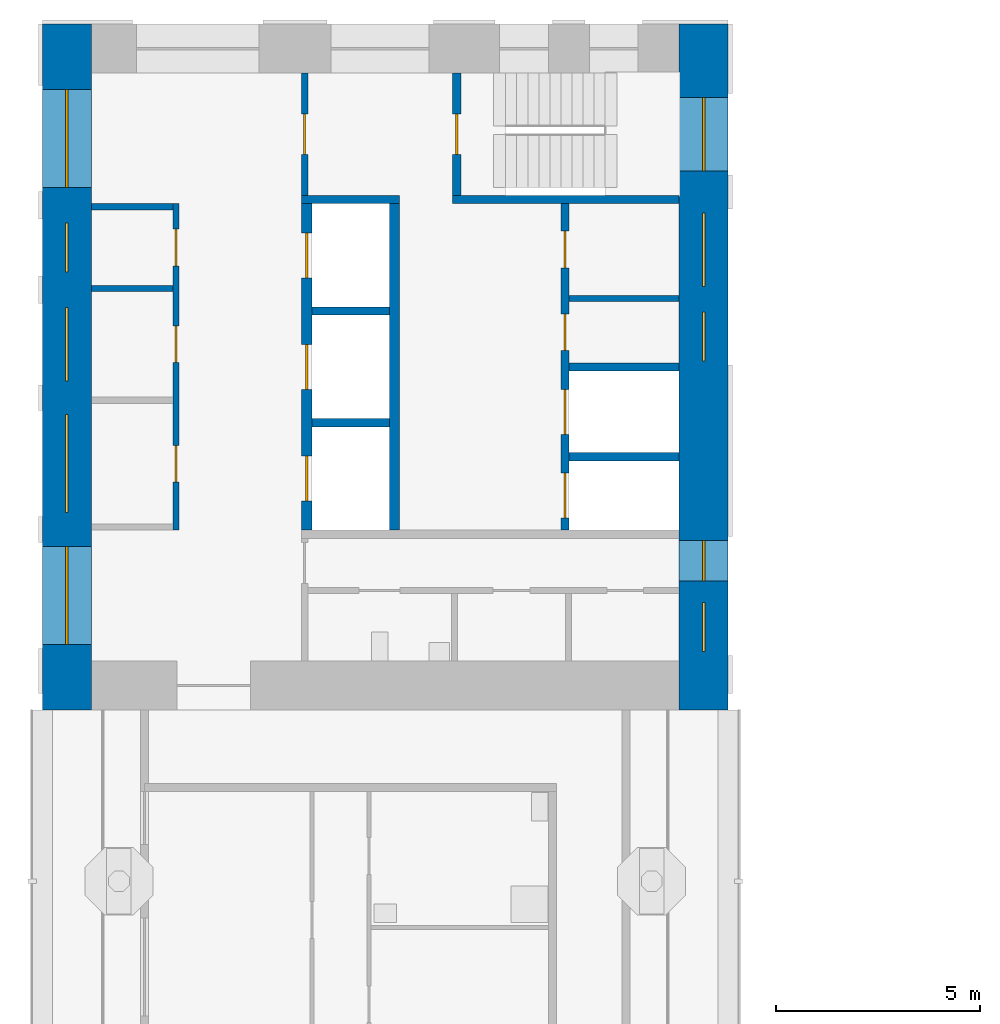
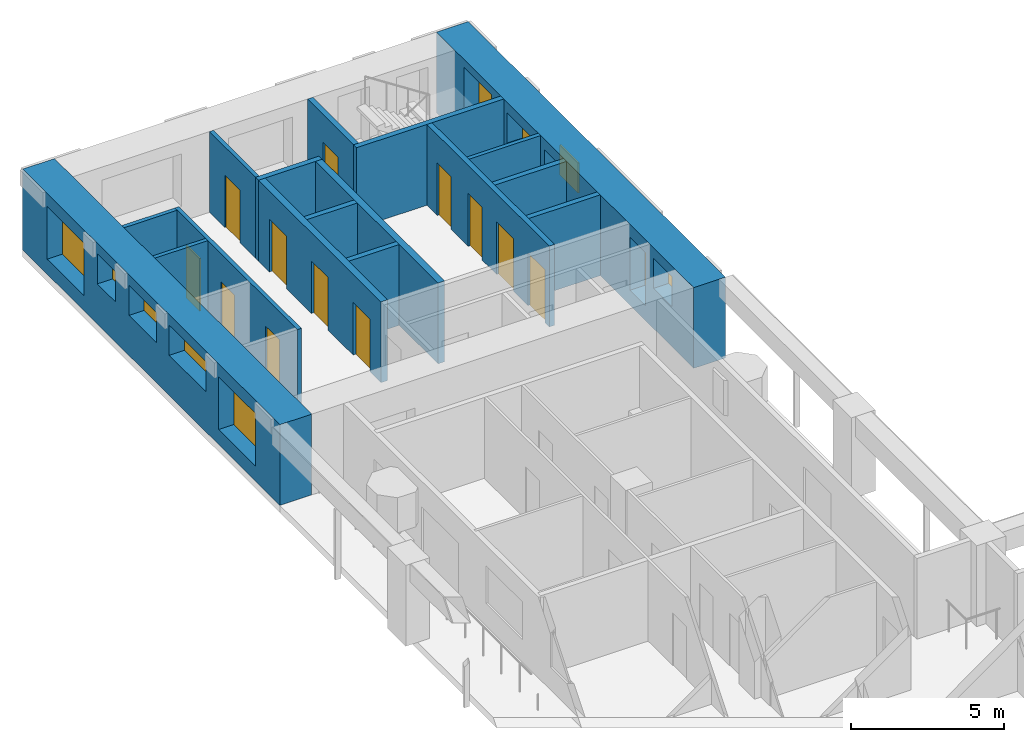
# One storey, part 6 of 13: 17 walls, 12 doors, 10 windows, 22 openings.
"""IFC4 building model written with IfcOpenShell, lengths in metres."""

from ifc_helpers import new_model, si_unit, direction, frame, frame_2d, origin, place, context, subcontext, project, spatial, rectangle, extrude, material, layer, layer_set, type_object, element, fill, save


model = new_model("IFC4")

# Units and contexts
model_context = context("Model", 3, precision=1e-05, world=origin(), true_north=direction((0.0, 1.0)))
body_context = subcontext(model_context, "Body", "Model", "MODEL_VIEW")
ifc_project = project(units=[si_unit("LENGTHUNIT", "METRE"), si_unit("AREAUNIT", "SQUARE_METRE"), si_unit("VOLUMEUNIT", "CUBIC_METRE"), si_unit("PLANEANGLEUNIT", "RADIAN"), si_unit("MASSUNIT", "GRAM", prefix="KILO")], contexts=[model_context])

# Site, building, storey
site_placement = place(None, origin())
site = spatial("IfcSite", under=ifc_project, at=site_placement, CompositionType="ELEMENT")
building_placement = place(site_placement, origin())
building = spatial("IfcBuilding", under=site, at=building_placement, Name="Vermilion Gate Residences", CompositionType="ELEMENT")
storey_placement = place(building_placement, frame((0.0, 0.0, 147.699951171875)))
storey = spatial("IfcBuildingStorey", under=building, at=storey_placement, Name="L37", CompositionType="ELEMENT", Elevation=147.699951171875)

# Walls
ifc_material_1 = material(Name="Masonry blockwork", Category="masonry")
ifc_layer_1 = layer(ifc_material_1, 0.14990234375)
ifc_layer_set_1 = layer_set([ifc_layer_1], Name="BLOCKWORK PARTITION 150 EI 120")
wall_type_1 = type_object("IfcWallType", Name="BLOCKWORK PARTITION 150 EI 120", PredefinedType="PARTITIONING", material=ifc_layer_set_1)
for number, where, z_axis, x_axis, name in (
    (1, (9.60009765625, 54.324951171875, 0.0), (0.0, 0.0, 1.0), (1.0, 0.0, 0.0), "Core room partition B37-RW-W"),
    (2, (9.60009765625, 52.324951171875, 0.0), (0.0, 0.0, 1.0), (1.0, 0.0, 0.0), "Core room partition B37-SR-P0"),
):
    element("IfcWall", number, at=place(storey_placement, frame(where, z_axis=z_axis, x_axis=x_axis)), inside=storey, type_object=wall_type_1, Name=name, PredefinedType="PARTITIONING", context=body_context, shape_type="SweptSolid", body=[
        extrude(rectangle(XDim=2.0, YDim=0.14990234375, at=frame_2d((1.0, 0.0))), origin(), (0.0, 0.0, 1.0), 3.219970703125),
    ])

# Wall, openings, doors
wall_1_placement = place(storey_placement, frame((11.675048828125, 54.39990234375, 0.0), z_axis=(0.0, 0.0, 1.0), x_axis=(0.0, -1.0, 0.0)))
wall_1 = element("IfcWall", 3, at=wall_1_placement, inside=storey, type_object=wall_type_1, Name="Core room partition B37-LR-F", PredefinedType="PARTITIONING", context=body_context, shape_type="SweptSolid", body=[
    extrude(rectangle(XDim=8.0, YDim=0.14990234375, at=frame_2d((4.0, 0.0))), origin(), (0.0, 0.0, 1.0), 3.219970703125),
])
opening_1_placement = place(wall_1_placement, frame((0.625, 0.0, 0.0)))
opening_1 = element("IfcOpeningElement", 4, at=opening_1_placement, cuts=wall_1, Name="Opening DK37102", PredefinedType="OPENING", context=body_context, shape_type="SweptSolid", body=[
    extrude(rectangle(XDim=0.89990234375, YDim=2.10009765625, at=frame_2d((0.449951171875, 1.050048828125))), frame((0.0, 0.0849609375, 0.0), z_axis=(0.0, -1.0, 0.0), x_axis=(1.0, 0.0, 0.0)), (0.0, 0.0, 1.0), 0.169921875),
])
opening_2_placement = place(wall_1_placement, frame((2.9951171875, 0.0, 0.0)))
opening_2 = element("IfcOpeningElement", 5, at=opening_2_placement, cuts=wall_1, Name="Opening DK37103", PredefinedType="OPENING", context=body_context, shape_type="SweptSolid", body=[
    extrude(rectangle(XDim=0.89990234375, YDim=2.10009765625, at=frame_2d((0.449951171875, 1.050048828125))), frame((0.0, 0.0849609375, 0.0), z_axis=(0.0, -1.0, 0.0), x_axis=(1.0, 0.0, 0.0)), (0.0, 0.0, 1.0), 0.169921875),
])
opening_3_placement = place(wall_1_placement, frame((5.919921875, 0.0, 0.0)))
opening_3 = element("IfcOpeningElement", 6, at=opening_3_placement, cuts=wall_1, Name="Opening DK37104", PredefinedType="OPENING", context=body_context, shape_type="SweptSolid", body=[
    extrude(rectangle(XDim=0.89990234375, YDim=2.10009765625, at=frame_2d((0.449951171875, 1.050048828125))), frame((0.0, 0.0849609375, 0.0), z_axis=(0.0, -1.0, 0.0), x_axis=(1.0, 0.0, 0.0)), (0.0, 0.0, 1.0), 0.169921875),
])
ifc_material_2 = material(Name="Steel", Category="steel")
door_type_1 = type_object("IfcDoorType", Name="SERVICE ROOM DOOR FD60 900 X 2100", OperationType="SINGLE_SWING_LEFT", PredefinedType="DOOR", material=ifc_material_2)
door_1_placement = place(opening_1_placement, origin())
door_1 = element("IfcDoor", 7, at=door_1_placement, inside=storey, type_object=door_type_1, Name="Electrical room B37", OperationType="SINGLE_SWING_LEFT", OverallHeight=2.10009765625, OverallWidth=0.89990234375, PredefinedType="DOOR", context=body_context, shape_type="SweptSolid", body=[
    extrude(rectangle(XDim=0.89990234375, YDim=2.10009765625, at=frame_2d((0.449951171875, 1.050048828125))), frame((0.0, 0.02490234375, 0.0), z_axis=(0.0, -1.0, 0.0), x_axis=(1.0, 0.0, 0.0)), (0.0, 0.0, 1.0), 0.050048828125),
])
fill(opening_1, door_1)
door_2_placement = place(opening_2_placement, frame((0.89990234375, 0.0, 0.0), z_axis=(0.0, 0.0, 1.0), x_axis=(-1.0, 0.0, 0.0)))
door_2 = element("IfcDoor", 8, at=door_2_placement, inside=storey, type_object=door_type_1, Name="Communications room B37", OperationType="SINGLE_SWING_LEFT", OverallHeight=2.10009765625, OverallWidth=0.89990234375, PredefinedType="DOOR", context=body_context, shape_type="SweptSolid", body=[
    extrude(rectangle(XDim=0.89990234375, YDim=2.10009765625, at=frame_2d((0.449951171875, 1.050048828125))), frame((0.0, 0.02490234375, 0.0), z_axis=(0.0, -1.0, 0.0), x_axis=(1.0, 0.0, 0.0)), (0.0, 0.0, 1.0), 0.050048828125),
])
fill(opening_2, door_2)
door_3_placement = place(opening_3_placement, frame((0.89990234375, 0.0, 0.0), z_axis=(0.0, 0.0, 1.0), x_axis=(-1.0, 0.0, 0.0)))
door_3 = element("IfcDoor", 9, at=door_3_placement, inside=storey, type_object=door_type_1, Name="Refuse room B37", OperationType="SINGLE_SWING_LEFT", OverallHeight=2.10009765625, OverallWidth=0.89990234375, PredefinedType="DOOR", context=body_context, shape_type="SweptSolid", body=[
    extrude(rectangle(XDim=0.89990234375, YDim=2.10009765625, at=frame_2d((0.449951171875, 1.050048828125))), frame((0.0, 0.02490234375, 0.0), z_axis=(0.0, -1.0, 0.0), x_axis=(1.0, 0.0, 0.0)), (0.0, 0.0, 1.0), 0.050048828125),
])
fill(opening_3, door_3)

# Wall
wall_2_placement = place(storey_placement, frame((21.300048828125, 52.074951171875, 0.0), z_axis=(0.0, 0.0, 1.0), x_axis=(1.0, 0.0, 0.0)))
element("IfcWall", 10, at=wall_2_placement, inside=storey, type_object=wall_type_1, Name="Core room partition B37-NR-P0", PredefinedType="PARTITIONING", context=body_context, shape_type="SweptSolid", body=[
    extrude(rectangle(XDim=2.699951171875, YDim=0.14990234375, at=frame_2d((1.35009765625, 0.0))), origin(), (0.0, 0.0, 1.0), 3.219970703125),
])

# Wall, opening, door
wall_3_placement = place(storey_placement, frame((14.824951171875, 57.60009765625, 0.0), z_axis=(0.0, 0.0, 1.0), x_axis=(0.0, -1.0, 0.0)))
wall_3 = element("IfcWall", 11, at=wall_3_placement, inside=storey, type_object=wall_type_1, Name="Core room partition B37-VW-S", PredefinedType="PARTITIONING", context=body_context, shape_type="SweptSolid", body=[
    extrude(rectangle(XDim=3.0, YDim=0.14990234375, at=frame_2d((1.5, 0.0))), origin(), (0.0, 0.0, 1.0), 3.219970703125),
])
opening_4_placement = place(wall_3_placement, frame((1.0, 0.0, 0.0)))
opening_4 = element("IfcOpeningElement", 12, at=opening_4_placement, cuts=wall_3, Name="Opening DK37112", PredefinedType="OPENING", context=body_context, shape_type="SweptSolid", body=[
    extrude(rectangle(XDim=1.0, YDim=2.10009765625, at=frame_2d((0.5, 1.050048828125))), frame((0.0, 0.0849609375, 0.0), z_axis=(0.0, -1.0, 0.0), x_axis=(1.0, 0.0, 0.0)), (0.0, 0.0, 1.0), 0.169921875),
])
ifc_material_3 = material(Name="Steel", Category="steel")
door_type_2 = type_object("IfcDoorType", Name="FIRE DOOR FD60 1000 X 2100", OperationType="SINGLE_SWING_LEFT", PredefinedType="DOOR", material=ifc_material_3)
door_4_placement = place(opening_4_placement, frame((1.0, 0.0, 0.0), z_axis=(0.0, 0.0, 1.0), x_axis=(-1.0, 0.0, 0.0)))
door_4 = element("IfcDoor", 13, at=door_4_placement, inside=storey, type_object=door_type_2, Name="Stair vestibule door B37", OperationType="SINGLE_SWING_RIGHT", OverallHeight=2.10009765625, OverallWidth=1.0, PredefinedType="DOOR", context=body_context, shape_type="SweptSolid", body=[
    extrude(rectangle(XDim=1.0, YDim=2.10009765625, at=frame_2d((0.5, 1.050048828125))), frame((0.0, 0.02490234375, 0.0), z_axis=(0.0, -1.0, 0.0), x_axis=(1.0, 0.0, 0.0)), (0.0, 0.0, 1.0), 0.050048828125),
])
fill(opening_4, door_4)

# Walls
ifc_material_4 = material(Name="Concrete C60", Category="concrete")
ifc_layer_2 = layer(ifc_material_4, 0.199951171875)
ifc_layer_set_2 = layer_set([ifc_layer_2], Name="RC CORE INTERNAL WALL 200 C60")
wall_type_2 = type_object("IfcWallType", Name="RC CORE INTERNAL WALL 200 C60", PredefinedType="SHEAR", material=ifc_layer_set_2)
for number, where, z_axis, x_axis, name in (
    (14, (15.0, 51.7666015625, 0.0), (0.0, 0.0, 1.0), (1.0, 0.0, 0.0), "Core internal wall B37-HR-D1"),
    (15, (15.0, 49.033447265625, 0.0), (0.0, 0.0, 1.0), (1.0, 0.0, 0.0), "Core internal wall B37-HR-D2"),
):
    element("IfcWall", number, at=place(storey_placement, frame(where, z_axis=z_axis, x_axis=x_axis)), inside=storey, type_object=wall_type_2, Name=name, PredefinedType="SHEAR", context=body_context, shape_type="SweptSolid", body=[
        extrude(rectangle(XDim=1.89990234375, YDim=0.199951171875, at=frame_2d((0.949951171875, 0.0))), origin(), (0.0, 0.0, 1.0), 3.219970703125),
    ])
for number, where, z_axis, x_axis, name in (
    (16, (21.300048828125, 50.39990234375, 0.0), (0.0, 0.0, 1.0), (1.0, 0.0, 0.0), "Core internal wall B37-FF-D0"),
    (17, (21.300048828125, 48.199951171875, 0.0), (0.0, 0.0, 1.0), (1.0, 0.0, 0.0), "Core internal wall B37-FF-D1"),
):
    element("IfcWall", number, at=place(storey_placement, frame(where, z_axis=z_axis, x_axis=x_axis)), inside=storey, type_object=wall_type_2, Name=name, PredefinedType="SHEAR", context=body_context, shape_type="SweptSolid", body=[
        extrude(rectangle(XDim=2.699951171875, YDim=0.199951171875, at=frame_2d((1.35009765625, 0.0))), origin(), (0.0, 0.0, 1.0), 3.219970703125),
    ])

# Wall, openings, doors
wall_4_placement = place(storey_placement, frame((21.199951171875, 54.39990234375, 0.0), z_axis=(0.0, 0.0, 1.0), x_axis=(0.0, -1.0, 0.0)))
wall_4 = element("IfcWall", 18, at=wall_4_placement, inside=storey, type_object=wall_type_2, Name="Core internal wall B37-FF-F", PredefinedType="SHEAR", context=body_context, shape_type="SweptSolid", body=[
    extrude(rectangle(XDim=8.0, YDim=0.199951171875, at=frame_2d((4.0, 0.0))), origin(), (0.0, 0.0, 1.0), 3.219970703125),
])
opening_5_placement = place(wall_4_placement, frame((0.675048828125, 0.0, 0.0)))
opening_5 = element("IfcOpeningElement", 19, at=opening_5_placement, cuts=wall_4, Name="Opening DK37108", PredefinedType="OPENING", context=body_context, shape_type="SweptSolid", body=[
    extrude(rectangle(XDim=0.89990234375, YDim=2.10009765625, at=frame_2d((0.449951171875, 1.050048828125))), frame((0.0, 0.10986328125, 0.0), z_axis=(0.0, -1.0, 0.0), x_axis=(1.0, 0.0, 0.0)), (0.0, 0.0, 1.0), 0.219970703125),
])
opening_6_placement = place(wall_4_placement, frame((2.699951171875, 0.0, 0.0)))
opening_6 = element("IfcOpeningElement", 20, at=opening_6_placement, cuts=wall_4, Name="Opening DK37109", PredefinedType="OPENING", context=body_context, shape_type="SweptSolid", body=[
    extrude(rectangle(XDim=0.89990234375, YDim=2.10009765625, at=frame_2d((0.449951171875, 1.050048828125))), frame((0.0, 0.10986328125, 0.0), z_axis=(0.0, -1.0, 0.0), x_axis=(1.0, 0.0, 0.0)), (0.0, 0.0, 1.0), 0.219970703125),
])
opening_7_placement = place(wall_4_placement, frame((4.550048828125, 0.0, 0.0)))
opening_7 = element("IfcOpeningElement", 21, at=opening_7_placement, cuts=wall_4, Name="Opening LD", PredefinedType="OPENING", context=body_context, shape_type="SweptSolid", body=[
    extrude(rectangle(XDim=1.10009765625, YDim=2.10009765625, at=frame_2d((0.550048828125, 1.050048828125))), frame((0.0, 0.10986328125, 0.0), z_axis=(0.0, -1.0, 0.0), x_axis=(1.0, 0.0, 0.0)), (0.0, 0.0, 1.0), 0.219970703125),
])
opening_8_placement = place(wall_4_placement, frame((6.60009765625, 0.0, 0.0)))
opening_8 = element("IfcOpeningElement", 22, at=opening_8_placement, cuts=wall_4, Name="Opening LD", PredefinedType="OPENING", context=body_context, shape_type="SweptSolid", body=[
    extrude(rectangle(XDim=1.10009765625, YDim=2.10009765625, at=frame_2d((0.550048828125, 1.050048828125))), frame((0.0, 0.10986328125, 0.0), z_axis=(0.0, -1.0, 0.0), x_axis=(1.0, 0.0, 0.0)), (0.0, 0.0, 1.0), 0.219970703125),
])
ifc_material_5 = material(Name="Stainless steel", Category="steel")
door_type_3 = type_object("IfcDoorType", Name="LIFT LANDING DOOR E60 1100 X 2100", OperationType="DOUBLE_DOOR_SLIDING", PredefinedType="DOOR", material=ifc_material_5)
door_5_placement = place(opening_7_placement, origin())
door_5 = element("IfcDoor", 23, at=door_5_placement, inside=storey, type_object=door_type_3, Name="Lift landing door LFB1", OperationType="DOUBLE_DOOR_SLIDING", OverallHeight=2.10009765625, OverallWidth=1.10009765625, PredefinedType="DOOR", context=body_context, shape_type="SweptSolid", body=[
    extrude(rectangle(XDim=1.10009765625, YDim=2.10009765625, at=frame_2d((0.550048828125, 1.050048828125))), frame((0.0, 0.02490234375, 0.0), z_axis=(0.0, -1.0, 0.0), x_axis=(1.0, 0.0, 0.0)), (0.0, 0.0, 1.0), 0.050048828125),
])
fill(opening_7, door_5)
door_6_placement = place(opening_8_placement, origin())
door_6 = element("IfcDoor", 24, at=door_6_placement, inside=storey, type_object=door_type_3, Name="Lift landing door LCB1", OperationType="DOUBLE_DOOR_SLIDING", OverallHeight=2.10009765625, OverallWidth=1.10009765625, PredefinedType="DOOR", context=body_context, shape_type="SweptSolid", body=[
    extrude(rectangle(XDim=1.10009765625, YDim=2.10009765625, at=frame_2d((0.550048828125, 1.050048828125))), frame((0.0, 0.02490234375, 0.0), z_axis=(0.0, -1.0, 0.0), x_axis=(1.0, 0.0, 0.0)), (0.0, 0.0, 1.0), 0.050048828125),
])
fill(opening_8, door_6)
door_7_placement = place(opening_5_placement, origin())
door_7 = element("IfcDoor", 25, at=door_7_placement, inside=storey, type_object=door_type_1, Name="Electrical riser B37", OperationType="SINGLE_SWING_RIGHT", OverallHeight=2.10009765625, OverallWidth=0.89990234375, PredefinedType="DOOR", context=body_context, shape_type="SweptSolid", body=[
    extrude(rectangle(XDim=0.89990234375, YDim=2.10009765625, at=frame_2d((0.449951171875, 1.050048828125))), frame((0.0, 0.02490234375, 0.0), z_axis=(0.0, -1.0, 0.0), x_axis=(1.0, 0.0, 0.0)), (0.0, 0.0, 1.0), 0.050048828125),
])
fill(opening_5, door_7)
door_8_placement = place(opening_6_placement, origin())
door_8 = element("IfcDoor", 26, at=door_8_placement, inside=storey, type_object=door_type_1, Name="Cleaner's store B37", OperationType="SINGLE_SWING_RIGHT", OverallHeight=2.10009765625, OverallWidth=0.89990234375, PredefinedType="DOOR", context=body_context, shape_type="SweptSolid", body=[
    extrude(rectangle(XDim=0.89990234375, YDim=2.10009765625, at=frame_2d((0.449951171875, 1.050048828125))), frame((0.0, 0.02490234375, 0.0), z_axis=(0.0, -1.0, 0.0), x_axis=(1.0, 0.0, 0.0)), (0.0, 0.0, 1.0), 0.050048828125),
])
fill(opening_6, door_8)

# Walls
wall_5_placement = place(storey_placement, frame((14.75, 54.5, 0.0), z_axis=(0.0, 0.0, 1.0), x_axis=(1.0, 0.0, 0.0)))
element("IfcWall", 27, at=wall_5_placement, inside=storey, type_object=wall_type_2, Name="Core internal wall B37-WDIV1", PredefinedType="SHEAR", context=body_context, shape_type="SweptSolid", body=[
    extrude(rectangle(XDim=2.39990234375, YDim=0.199951171875, at=frame_2d((1.199951171875, 0.0))), origin(), (0.0, 0.0, 1.0), 3.219970703125),
])
wall_6_placement = place(storey_placement, frame((18.449951171875, 54.5, 0.0), z_axis=(0.0, 0.0, 1.0), x_axis=(1.0, 0.0, 0.0)))
element("IfcWall", 28, at=wall_6_placement, inside=storey, type_object=wall_type_2, Name="Core internal wall B37-WDIV2", PredefinedType="SHEAR", context=body_context, shape_type="SweptSolid", body=[
    extrude(rectangle(XDim=5.550048828125, YDim=0.199951171875, at=frame_2d((2.77490234375, 0.0))), origin(), (0.0, 0.0, 1.0), 3.219970703125),
])

# Wall, opening, door
wall_7_placement = place(storey_placement, frame((18.550048828125, 57.60009765625, 0.0), z_axis=(0.0, 0.0, 1.0), x_axis=(0.0, -1.0, 0.0)))
wall_7 = element("IfcWall", 29, at=wall_7_placement, inside=storey, type_object=wall_type_2, Name="Core internal wall B37-STW-S", PredefinedType="SHEAR", context=body_context, shape_type="SweptSolid", body=[
    extrude(rectangle(XDim=3.0, YDim=0.199951171875, at=frame_2d((1.5, 0.0))), origin(), (0.0, 0.0, 1.0), 3.219970703125),
])
opening_9_placement = place(wall_7_placement, frame((1.0, 0.0, 0.0)))
opening_9 = element("IfcOpeningElement", 30, at=opening_9_placement, cuts=wall_7, Name="Opening DK37113", PredefinedType="OPENING", context=body_context, shape_type="SweptSolid", body=[
    extrude(rectangle(XDim=1.0, YDim=2.10009765625, at=frame_2d((0.5, 1.050048828125))), frame((0.0, 0.10986328125, 0.0), z_axis=(0.0, -1.0, 0.0), x_axis=(1.0, 0.0, 0.0)), (0.0, 0.0, 1.0), 0.219970703125),
])
door_9_placement = place(opening_9_placement, origin())
door_9 = element("IfcDoor", 31, at=door_9_placement, inside=storey, type_object=door_type_2, Name="Stair door B37", OperationType="SINGLE_SWING_LEFT", OverallHeight=2.10009765625, OverallWidth=1.0, PredefinedType="DOOR", context=body_context, shape_type="SweptSolid", body=[
    extrude(rectangle(XDim=1.0, YDim=2.10009765625, at=frame_2d((0.5, 1.050048828125))), frame((0.0, 0.02490234375, 0.0), z_axis=(0.0, -1.0, 0.0), x_axis=(1.0, 0.0, 0.0)), (0.0, 0.0, 1.0), 0.050048828125),
])
fill(opening_9, door_9)

# Wall, openings, windows
ifc_material_6 = material(Name="Concrete C60 red-oxide pigmented", Category="concrete")
ifc_layer_3 = layer(ifc_material_6, 1.199951171875)
ifc_layer_set_3 = layer_set([ifc_layer_3], Name="RC CORE WALL 1200 C60 RED OXIDE")
wall_type_3 = type_object("IfcWallType", Name="RC CORE WALL 1200 C60 RED OXIDE", PredefinedType="SHEAR", material=ifc_layer_set_3)
wall_8_placement = place(storey_placement, frame((9.0, 58.800048828125, 0.0), z_axis=(0.0, 0.0, 1.0), x_axis=(0.0, -1.0, 0.0)))
wall_8 = element("IfcWall", 32, at=wall_8_placement, inside=storey, type_object=wall_type_3, Name="Core wall B37-OUT-B0", PredefinedType="SHEAR", context=body_context, shape_type="SweptSolid", body=[
    extrude(rectangle(XDim=16.800048828125, YDim=1.199951171875, at=frame_2d((8.39990234375, 0.0))), origin(), (0.0, 0.0, 1.0), 3.219970703125),
])
opening_10_placement = place(wall_8_placement, frame((1.60009765625, 0.0, 0.60009765625)))
opening_10 = element("IfcOpeningElement", 33, at=opening_10_placement, cuts=wall_8, Name="Opening WKB3701", PredefinedType="OPENING", context=body_context, shape_type="SweptSolid", body=[
    extrude(rectangle(XDim=2.39990234375, YDim=2.10009765625, at=frame_2d((1.199951171875, 1.050048828125))), frame((0.0, 0.60986328125, 0.0), z_axis=(0.0, -1.0, 0.0), x_axis=(1.0, 0.0, 0.0)), (0.0, 0.0, 1.0), 1.219970703125),
])
opening_11_placement = place(wall_8_placement, frame((4.875, 0.0, 1.60009765625)))
opening_11 = element("IfcOpeningElement", 34, at=opening_11_placement, cuts=wall_8, Name="Opening WKB3702", PredefinedType="OPENING", context=body_context, shape_type="SweptSolid", body=[
    extrude(rectangle(XDim=1.199951171875, YDim=1.199951171875, at=frame_2d((0.60009765625, 0.60009765625))), frame((0.0, 0.60986328125, 0.0), z_axis=(0.0, -1.0, 0.0), x_axis=(1.0, 0.0, 0.0)), (0.0, 0.0, 1.0), 1.219970703125),
])
opening_12_placement = place(wall_8_placement, frame((6.945068359375, 0.0, 1.60009765625)))
opening_12 = element("IfcOpeningElement", 35, at=opening_12_placement, cuts=wall_8, Name="Opening WKB3703", PredefinedType="OPENING", context=body_context, shape_type="SweptSolid", body=[
    extrude(rectangle(XDim=1.800048828125, YDim=1.199951171875, at=frame_2d((0.89990234375, 0.60009765625))), frame((0.0, 0.60986328125, 0.0), z_axis=(0.0, -1.0, 0.0), x_axis=(1.0, 0.0, 0.0)), (0.0, 0.0, 1.0), 1.219970703125),
])
opening_13_placement = place(wall_8_placement, frame((9.570068359375, 0.0, 1.60009765625)))
opening_13 = element("IfcOpeningElement", 36, at=opening_13_placement, cuts=wall_8, Name="Opening WKB3704", PredefinedType="OPENING", context=body_context, shape_type="SweptSolid", body=[
    extrude(rectangle(XDim=2.39990234375, YDim=1.199951171875, at=frame_2d((1.199951171875, 0.60009765625))), frame((0.0, 0.60986328125, 0.0), z_axis=(0.0, -1.0, 0.0), x_axis=(1.0, 0.0, 0.0)), (0.0, 0.0, 1.0), 1.219970703125),
])
opening_14_placement = place(wall_8_placement, frame((12.800048828125, 0.0, 0.60009765625)))
opening_14 = element("IfcOpeningElement", 37, at=opening_14_placement, cuts=wall_8, Name="Opening WKB3705", PredefinedType="OPENING", context=body_context, shape_type="SweptSolid", body=[
    extrude(rectangle(XDim=2.39990234375, YDim=2.10009765625, at=frame_2d((1.199951171875, 1.050048828125))), frame((0.0, 0.60986328125, 0.0), z_axis=(0.0, -1.0, 0.0), x_axis=(1.0, 0.0, 0.0)), (0.0, 0.0, 1.0), 1.219970703125),
])
ifc_material_7 = material(Name="Aluminium and clear glass", Category="aluminium")
window_type_1 = type_object("IfcWindowType", Name="CORE LOBBY WINDOW 2400 X 2100", PartitioningType="SINGLE_PANEL", PredefinedType="WINDOW", material=ifc_material_7)
window_1_placement = place(opening_10_placement, origin())
window_1 = element("IfcWindow", 38, at=window_1_placement, inside=storey, type_object=window_type_1, Name="Core lobby window", OverallHeight=2.10009765625, OverallWidth=2.39990234375, PartitioningType="SINGLE_PANEL", PredefinedType="WINDOW", context=body_context, shape_type="SweptSolid", body=[
    extrude(rectangle(XDim=2.39990234375, YDim=2.10009765625, at=frame_2d((1.199951171875, 1.050048828125))), frame((0.0, 0.030029296875, 0.0), z_axis=(0.0, -1.0, 0.0), x_axis=(1.0, 0.0, 0.0)), (0.0, 0.0, 1.0), 0.06005859375),
])
fill(opening_10, window_1)
window_2_placement = place(opening_14_placement, origin())
window_2 = element("IfcWindow", 39, at=window_2_placement, inside=storey, type_object=window_type_1, Name="Core lobby window", OverallHeight=2.10009765625, OverallWidth=2.39990234375, PartitioningType="SINGLE_PANEL", PredefinedType="WINDOW", context=body_context, shape_type="SweptSolid", body=[
    extrude(rectangle(XDim=2.39990234375, YDim=2.10009765625, at=frame_2d((1.199951171875, 1.050048828125))), frame((0.0, 0.030029296875, 0.0), z_axis=(0.0, -1.0, 0.0), x_axis=(1.0, 0.0, 0.0)), (0.0, 0.0, 1.0), 0.06005859375),
])
fill(opening_14, window_2)
ifc_material_8 = material(Name="Aluminium frame with louvre blades", Category="aluminium")
window_type_2 = type_object("IfcWindowType", Name="CORE LOUVRE 1200 X 1200", PartitioningType="SINGLE_PANEL", PredefinedType="WINDOW", material=ifc_material_8)
window_3_placement = place(opening_11_placement, origin())
window_3 = element("IfcWindow", 40, at=window_3_placement, inside=storey, type_object=window_type_2, Name="Core louvre", OverallHeight=1.199951171875, OverallWidth=1.199951171875, PartitioningType="SINGLE_PANEL", PredefinedType="WINDOW", context=body_context, shape_type="SweptSolid", body=[
    extrude(rectangle(XDim=1.199951171875, YDim=1.199951171875, at=frame_2d((0.60009765625, 0.60009765625))), frame((0.0, 0.030029296875, 0.0), z_axis=(0.0, -1.0, 0.0), x_axis=(1.0, 0.0, 0.0)), (0.0, 0.0, 1.0), 0.06005859375),
])
fill(opening_11, window_3)
ifc_material_9 = material(Name="Aluminium frame with louvre blades", Category="aluminium")
window_type_3 = type_object("IfcWindowType", Name="CORE LOUVRE 1800 X 1200", PartitioningType="SINGLE_PANEL", PredefinedType="WINDOW", material=ifc_material_9)
window_4_placement = place(opening_12_placement, origin())
window_4 = element("IfcWindow", 41, at=window_4_placement, inside=storey, type_object=window_type_3, Name="Core louvre", OverallHeight=1.199951171875, OverallWidth=1.800048828125, PartitioningType="SINGLE_PANEL", PredefinedType="WINDOW", context=body_context, shape_type="SweptSolid", body=[
    extrude(rectangle(XDim=1.800048828125, YDim=1.199951171875, at=frame_2d((0.89990234375, 0.60009765625))), frame((0.0, 0.030029296875, 0.0), z_axis=(0.0, -1.0, 0.0), x_axis=(1.0, 0.0, 0.0)), (0.0, 0.0, 1.0), 0.06005859375),
])
fill(opening_12, window_4)
ifc_material_10 = material(Name="Aluminium frame with louvre blades", Category="aluminium")
window_type_4 = type_object("IfcWindowType", Name="CORE LOUVRE 2400 X 1200", PartitioningType="SINGLE_PANEL", PredefinedType="WINDOW", material=ifc_material_10)
window_5_placement = place(opening_13_placement, origin())
window_5 = element("IfcWindow", 42, at=window_5_placement, inside=storey, type_object=window_type_4, Name="Core louvre", OverallHeight=1.199951171875, OverallWidth=2.39990234375, PartitioningType="SINGLE_PANEL", PredefinedType="WINDOW", context=body_context, shape_type="SweptSolid", body=[
    extrude(rectangle(XDim=2.39990234375, YDim=1.199951171875, at=frame_2d((1.199951171875, 0.60009765625))), frame((0.0, 0.030029296875, 0.0), z_axis=(0.0, -1.0, 0.0), x_axis=(1.0, 0.0, 0.0)), (0.0, 0.0, 1.0), 0.06005859375),
])
fill(opening_13, window_5)

wall_9_placement = place(storey_placement, frame((24.60009765625, 58.800048828125, 0.0), z_axis=(0.0, 0.0, 1.0), x_axis=(0.0, -1.0, 0.0)))
wall_9 = element("IfcWall", 43, at=wall_9_placement, inside=storey, type_object=wall_type_3, Name="Core wall B37-OUT-B1", PredefinedType="SHEAR", context=body_context, shape_type="SweptSolid", body=[
    extrude(rectangle(XDim=16.800048828125, YDim=1.199951171875, at=frame_2d((8.39990234375, 0.0))), origin(), (0.0, 0.0, 1.0), 3.219970703125),
])
opening_15_placement = place(wall_9_placement, frame((1.800048828125, 0.0, 0.5)))
opening_15 = element("IfcOpeningElement", 44, at=opening_15_placement, cuts=wall_9, Name="Opening WKB3706", PredefinedType="OPENING", context=body_context, shape_type="SweptSolid", body=[
    extrude(rectangle(XDim=1.800048828125, YDim=2.39990234375, at=frame_2d((0.89990234375, 1.199951171875))), frame((0.0, 0.60986328125, 0.0), z_axis=(0.0, -1.0, 0.0), x_axis=(1.0, 0.0, 0.0)), (0.0, 0.0, 1.0), 1.219970703125),
])
opening_16_placement = place(wall_9_placement, frame((4.625, 0.0, 1.60009765625)))
opening_16 = element("IfcOpeningElement", 45, at=opening_16_placement, cuts=wall_9, Name="Opening WKB3707", PredefinedType="OPENING", context=body_context, shape_type="SweptSolid", body=[
    extrude(rectangle(XDim=1.800048828125, YDim=1.199951171875, at=frame_2d((0.89990234375, 0.60009765625))), frame((0.0, 0.60986328125, 0.0), z_axis=(0.0, -1.0, 0.0), x_axis=(1.0, 0.0, 0.0)), (0.0, 0.0, 1.0), 1.219970703125),
])
opening_17_placement = place(wall_9_placement, frame((7.050048828125, 0.0, 1.60009765625)))
opening_17 = element("IfcOpeningElement", 46, at=opening_17_placement, cuts=wall_9, Name="Opening WKB3708", PredefinedType="OPENING", context=body_context, shape_type="SweptSolid", body=[
    extrude(rectangle(XDim=1.199951171875, YDim=1.199951171875, at=frame_2d((0.60009765625, 0.60009765625))), frame((0.0, 0.60986328125, 0.0), z_axis=(0.0, -1.0, 0.0), x_axis=(1.0, 0.0, 0.0)), (0.0, 0.0, 1.0), 1.219970703125),
])
opening_18_placement = place(wall_9_placement, frame((12.64990234375, 0.0, 0.60009765625)))
opening_18 = element("IfcOpeningElement", 47, at=opening_18_placement, cuts=wall_9, Name="Opening WKB3709", PredefinedType="OPENING", context=body_context, shape_type="SweptSolid", body=[
    extrude(rectangle(XDim=1.0, YDim=2.10009765625, at=frame_2d((0.5, 1.050048828125))), frame((0.0, 0.60986328125, 0.0), z_axis=(0.0, -1.0, 0.0), x_axis=(1.0, 0.0, 0.0)), (0.0, 0.0, 1.0), 1.219970703125),
])
opening_19_placement = place(wall_9_placement, frame((14.175048828125, 0.0, 1.60009765625)))
opening_19 = element("IfcOpeningElement", 48, at=opening_19_placement, cuts=wall_9, Name="Opening WKB3710", PredefinedType="OPENING", context=body_context, shape_type="SweptSolid", body=[
    extrude(rectangle(XDim=1.199951171875, YDim=1.199951171875, at=frame_2d((0.60009765625, 0.60009765625))), frame((0.0, 0.60986328125, 0.0), z_axis=(0.0, -1.0, 0.0), x_axis=(1.0, 0.0, 0.0)), (0.0, 0.0, 1.0), 1.219970703125),
])
ifc_material_11 = material(Name="Aluminium and clear glass", Category="aluminium")
window_type_5 = type_object("IfcWindowType", Name="CORE CORRIDOR WINDOW 1000 X 2100", PartitioningType="SINGLE_PANEL", PredefinedType="WINDOW", material=ifc_material_11)
window_6_placement = place(opening_18_placement, origin())
window_6 = element("IfcWindow", 49, at=window_6_placement, inside=storey, type_object=window_type_5, Name="Core corridor window", OverallHeight=2.10009765625, OverallWidth=1.0, PartitioningType="SINGLE_PANEL", PredefinedType="WINDOW", context=body_context, shape_type="SweptSolid", body=[
    extrude(rectangle(XDim=1.0, YDim=2.10009765625, at=frame_2d((0.5, 1.050048828125))), frame((0.0, 0.030029296875, 0.0), z_axis=(0.0, -1.0, 0.0), x_axis=(1.0, 0.0, 0.0)), (0.0, 0.0, 1.0), 0.06005859375),
])
fill(opening_18, window_6)
window_7_placement = place(opening_17_placement, origin())
window_7 = element("IfcWindow", 50, at=window_7_placement, inside=storey, type_object=window_type_2, Name="Core louvre", OverallHeight=1.199951171875, OverallWidth=1.199951171875, PartitioningType="SINGLE_PANEL", PredefinedType="WINDOW", context=body_context, shape_type="SweptSolid", body=[
    extrude(rectangle(XDim=1.199951171875, YDim=1.199951171875, at=frame_2d((0.60009765625, 0.60009765625))), frame((0.0, 0.030029296875, 0.0), z_axis=(0.0, -1.0, 0.0), x_axis=(1.0, 0.0, 0.0)), (0.0, 0.0, 1.0), 0.06005859375),
])
fill(opening_17, window_7)
window_8_placement = place(opening_19_placement, origin())
window_8 = element("IfcWindow", 51, at=window_8_placement, inside=storey, type_object=window_type_2, Name="Core louvre", OverallHeight=1.199951171875, OverallWidth=1.199951171875, PartitioningType="SINGLE_PANEL", PredefinedType="WINDOW", context=body_context, shape_type="SweptSolid", body=[
    extrude(rectangle(XDim=1.199951171875, YDim=1.199951171875, at=frame_2d((0.60009765625, 0.60009765625))), frame((0.0, 0.030029296875, 0.0), z_axis=(0.0, -1.0, 0.0), x_axis=(1.0, 0.0, 0.0)), (0.0, 0.0, 1.0), 0.06005859375),
])
fill(opening_19, window_8)
window_9_placement = place(opening_16_placement, origin())
window_9 = element("IfcWindow", 52, at=window_9_placement, inside=storey, type_object=window_type_3, Name="Core louvre", OverallHeight=1.199951171875, OverallWidth=1.800048828125, PartitioningType="SINGLE_PANEL", PredefinedType="WINDOW", context=body_context, shape_type="SweptSolid", body=[
    extrude(rectangle(XDim=1.800048828125, YDim=1.199951171875, at=frame_2d((0.89990234375, 0.60009765625))), frame((0.0, 0.030029296875, 0.0), z_axis=(0.0, -1.0, 0.0), x_axis=(1.0, 0.0, 0.0)), (0.0, 0.0, 1.0), 0.06005859375),
])
fill(opening_16, window_9)
ifc_material_12 = material(Name="Aluminium and clear glass", Category="aluminium")
window_type_6 = type_object("IfcWindowType", Name="CORE STAIR WINDOW 1800 X 2400", PartitioningType="SINGLE_PANEL", PredefinedType="WINDOW", material=ifc_material_12)
window_10_placement = place(opening_15_placement, origin())
window_10 = element("IfcWindow", 53, at=window_10_placement, inside=storey, type_object=window_type_6, Name="Core stair window", OverallHeight=2.39990234375, OverallWidth=1.800048828125, PartitioningType="SINGLE_PANEL", PredefinedType="WINDOW", context=body_context, shape_type="SweptSolid", body=[
    extrude(rectangle(XDim=1.800048828125, YDim=2.39990234375, at=frame_2d((0.89990234375, 1.199951171875))), frame((0.0, 0.030029296875, 0.0), z_axis=(0.0, -1.0, 0.0), x_axis=(1.0, 0.0, 0.0)), (0.0, 0.0, 1.0), 0.06005859375),
])
fill(opening_15, window_10)

# Wall, openings, doors
ifc_material_13 = material(Name="Concrete C60", Category="concrete")
ifc_layer_4 = layer(ifc_material_13, 0.25)
ifc_layer_set_4 = layer_set([ifc_layer_4], Name="RC LIFT SHAFT WALL 250 C60")
wall_type_4 = type_object("IfcWallType", Name="RC LIFT SHAFT WALL 250 C60", PredefinedType="SHEAR", material=ifc_layer_set_4)
wall_10_placement = place(storey_placement, frame((14.875, 54.39990234375, 0.0), z_axis=(0.0, 0.0, 1.0), x_axis=(0.0, -1.0, 0.0)))
wall_10 = element("IfcWall", 54, at=wall_10_placement, inside=storey, type_object=wall_type_4, Name="Lift shaft wall B37-HR-F", PredefinedType="SHEAR", context=body_context, shape_type="SweptSolid", body=[
    extrude(rectangle(XDim=8.0, YDim=0.25, at=frame_2d((4.0, 0.0))), origin(), (0.0, 0.0, 1.0), 3.219970703125),
])
opening_20_placement = place(wall_10_placement, frame((0.716552734375, 0.0, 0.0)))
opening_20 = element("IfcOpeningElement", 55, at=opening_20_placement, cuts=wall_10, Name="Opening LD", PredefinedType="OPENING", context=body_context, shape_type="SweptSolid", body=[
    extrude(rectangle(XDim=1.10009765625, YDim=2.10009765625, at=frame_2d((0.550048828125, 1.050048828125))), frame((0.0, 0.135009765625, 0.0), z_axis=(0.0, -1.0, 0.0), x_axis=(1.0, 0.0, 0.0)), (0.0, 0.0, 1.0), 0.27001953125),
])
opening_21_placement = place(wall_10_placement, frame((3.449951171875, 0.0, 0.0)))
opening_21 = element("IfcOpeningElement", 56, at=opening_21_placement, cuts=wall_10, Name="Opening LD", PredefinedType="OPENING", context=body_context, shape_type="SweptSolid", body=[
    extrude(rectangle(XDim=1.10009765625, YDim=2.10009765625, at=frame_2d((0.550048828125, 1.050048828125))), frame((0.0, 0.135009765625, 0.0), z_axis=(0.0, -1.0, 0.0), x_axis=(1.0, 0.0, 0.0)), (0.0, 0.0, 1.0), 0.27001953125),
])
opening_22_placement = place(wall_10_placement, frame((6.183349609375, 0.0, 0.0)))
opening_22 = element("IfcOpeningElement", 57, at=opening_22_placement, cuts=wall_10, Name="Opening LD", PredefinedType="OPENING", context=body_context, shape_type="SweptSolid", body=[
    extrude(rectangle(XDim=1.10009765625, YDim=2.10009765625, at=frame_2d((0.550048828125, 1.050048828125))), frame((0.0, 0.135009765625, 0.0), z_axis=(0.0, -1.0, 0.0), x_axis=(1.0, 0.0, 0.0)), (0.0, 0.0, 1.0), 0.27001953125),
])
door_10_placement = place(opening_20_placement, origin())
door_10 = element("IfcDoor", 58, at=door_10_placement, inside=storey, type_object=door_type_3, Name="Lift landing door HRB1", OperationType="DOUBLE_DOOR_SLIDING", OverallHeight=2.10009765625, OverallWidth=1.10009765625, PredefinedType="DOOR", context=body_context, shape_type="SweptSolid", body=[
    extrude(rectangle(XDim=1.10009765625, YDim=2.10009765625, at=frame_2d((0.550048828125, 1.050048828125))), frame((0.0, 0.02490234375, 0.0), z_axis=(0.0, -1.0, 0.0), x_axis=(1.0, 0.0, 0.0)), (0.0, 0.0, 1.0), 0.050048828125),
])
fill(opening_20, door_10)
door_11_placement = place(opening_21_placement, origin())
door_11 = element("IfcDoor", 59, at=door_11_placement, inside=storey, type_object=door_type_3, Name="Lift landing door HRB2", OperationType="DOUBLE_DOOR_SLIDING", OverallHeight=2.10009765625, OverallWidth=1.10009765625, PredefinedType="DOOR", context=body_context, shape_type="SweptSolid", body=[
    extrude(rectangle(XDim=1.10009765625, YDim=2.10009765625, at=frame_2d((0.550048828125, 1.050048828125))), frame((0.0, 0.02490234375, 0.0), z_axis=(0.0, -1.0, 0.0), x_axis=(1.0, 0.0, 0.0)), (0.0, 0.0, 1.0), 0.050048828125),
])
fill(opening_21, door_11)
door_12_placement = place(opening_22_placement, origin())
door_12 = element("IfcDoor", 60, at=door_12_placement, inside=storey, type_object=door_type_3, Name="Lift landing door HRB3", OperationType="DOUBLE_DOOR_SLIDING", OverallHeight=2.10009765625, OverallWidth=1.10009765625, PredefinedType="DOOR", context=body_context, shape_type="SweptSolid", body=[
    extrude(rectangle(XDim=1.10009765625, YDim=2.10009765625, at=frame_2d((0.550048828125, 1.050048828125))), frame((0.0, 0.02490234375, 0.0), z_axis=(0.0, -1.0, 0.0), x_axis=(1.0, 0.0, 0.0)), (0.0, 0.0, 1.0), 0.050048828125),
])
fill(opening_22, door_12)

# Wall
wall_11_placement = place(storey_placement, frame((17.02490234375, 54.39990234375, 0.0), z_axis=(0.0, 0.0, 1.0), x_axis=(0.0, -1.0, 0.0)))
element("IfcWall", 61, at=wall_11_placement, inside=storey, type_object=wall_type_4, Name="Lift shaft wall B37-HR-B", PredefinedType="SHEAR", context=body_context, shape_type="SweptSolid", body=[
    extrude(rectangle(XDim=8.0, YDim=0.25, at=frame_2d((4.0, 0.0))), origin(), (0.0, 0.0, 1.0), 3.219970703125),
])

save(model, "model.ifc")
